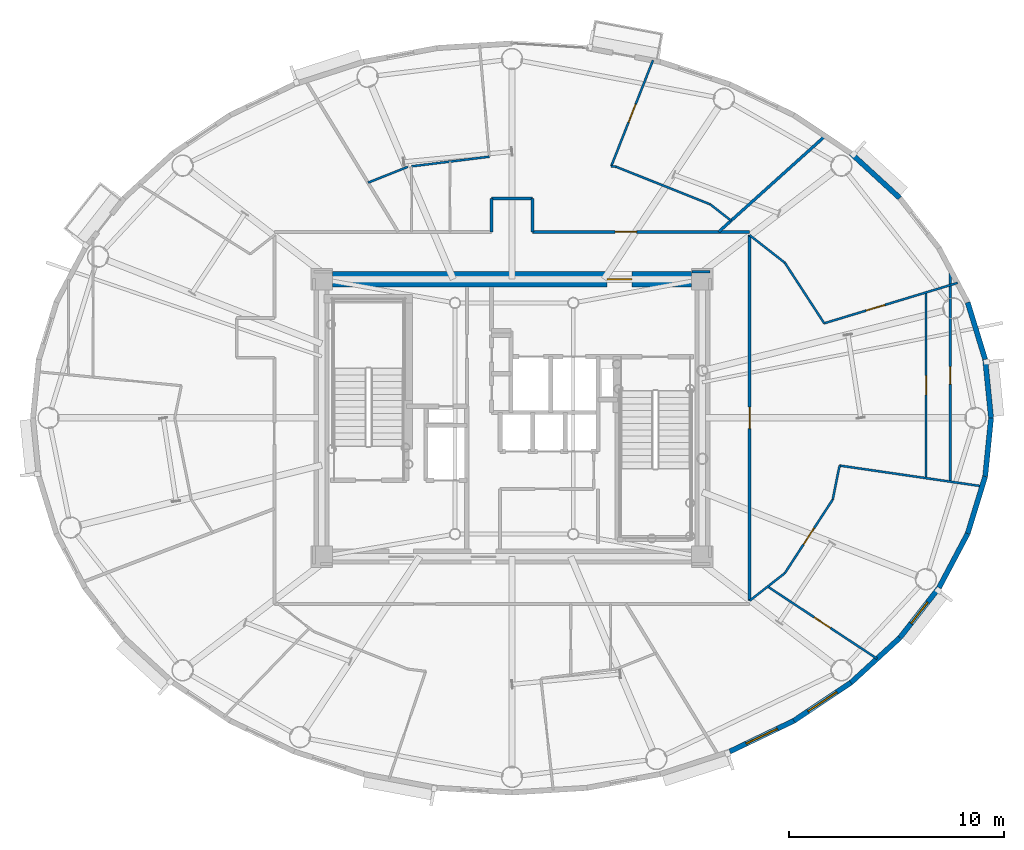
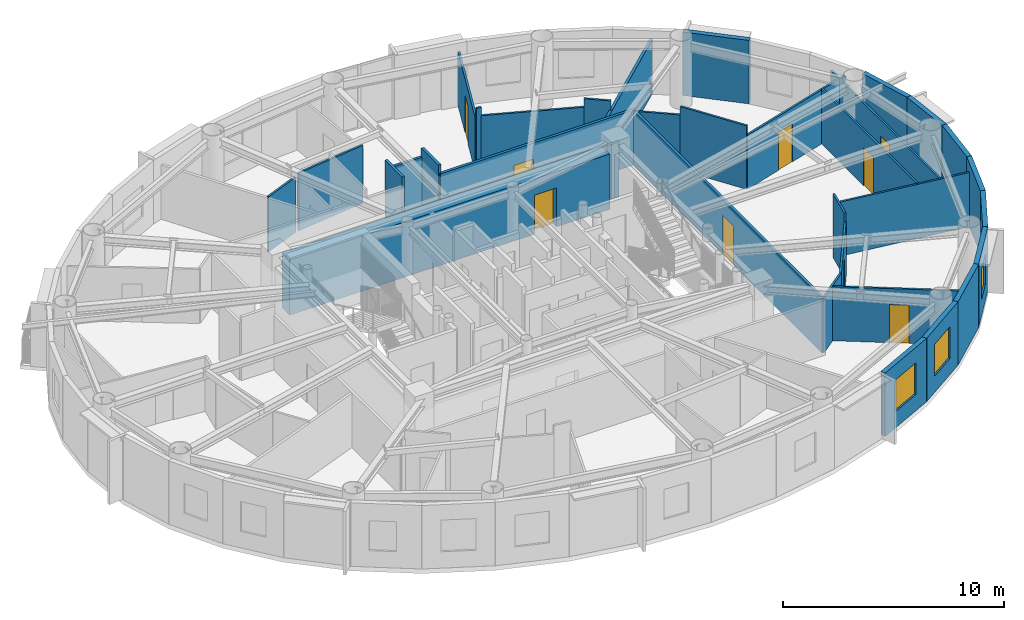
# One storey, part 10 of 18: 34 walls, 9 doors, 3 windows, 12 openings.
"""IFC4 building model written with IfcOpenShell, lengths in metres."""

from ifc_helpers import new_model, si_unit, direction, frame, frame_2d, origin, origin_2d, place, context, subcontext, project, spatial, rectangle, extrude, source, transform, mapped, material, layer, layer_set, type_object, element, fill, save


model = new_model("IFC4")

# Units and contexts
model_context = context("Model", 3, precision=1e-05, world=origin(), true_north=direction((0.0, 1.0)))
body_context = subcontext(model_context, "Body", "Model", "MODEL_VIEW")
ifc_project = project(units=[si_unit("LENGTHUNIT", "METRE"), si_unit("AREAUNIT", "SQUARE_METRE"), si_unit("VOLUMEUNIT", "CUBIC_METRE"), si_unit("PLANEANGLEUNIT", "RADIAN"), si_unit("MASSUNIT", "GRAM", prefix="KILO")], contexts=[model_context])

# Site, building, storey
site_placement = place(None, origin())
site = spatial("IfcSite", under=ifc_project, at=site_placement, CompositionType="ELEMENT")
building_placement = place(site_placement, origin())
building = spatial("IfcBuilding", under=site, at=building_placement, Name="Linh Dai School and Residence Tower", CompositionType="ELEMENT")
storey_placement = place(building_placement, frame((0.0, 0.0, 291.75)))
storey = spatial("IfcBuildingStorey", under=building, at=storey_placement, Name="L72", CompositionType="ELEMENT", Elevation=291.75)

# Walls
ifc_material_1 = material(Name="Precast Concrete B45 (C35/45)", Category="concrete")
ifc_layer_1 = layer(ifc_material_1, 0.239990234375)
ifc_layer_set_1 = layer_set([ifc_layer_1], Name="Precast Concrete B45 (C35/45)")
wall_type_1 = type_object("IfcWallType", Name="EW-TC-240", PredefinedType="SOLIDWALL", material=ifc_layer_set_1)
wall_1_placement = place(storey_placement, frame((58.001708984375, 29.718994140625, 0.0), z_axis=(0.0, 0.0, 1.0), x_axis=(0.099972526841, -0.99499019788, 0.0)))
element("IfcWall", 1, at=wall_1_placement, inside=storey, type_object=wall_type_1, Name="L72 Terracotta Exterior Wall 01", PredefinedType="SOLIDWALL", context=body_context, shape_type="SweptSolid", body=[
    extrude(rectangle(XDim=2.732666015625, YDim=0.239990234375, at=frame_2d((1.3662109375, 0.0))), origin(), (0.0, 0.0, 1.0), 3.5),
])
wall_2_placement = place(storey_placement, frame((57.188232421875, 32.372314453125, 0.0), z_axis=(0.0, 0.0, 1.0), x_axis=(0.2931213403, -0.956075248012, 0.0)))
element("IfcWall", 2, at=wall_2_placement, inside=storey, type_object=wall_type_1, Name="L72 Terracotta Exterior Wall 02", PredefinedType="SOLIDWALL", context=body_context, shape_type="SweptSolid", body=[
    extrude(rectangle(XDim=2.775146484375, YDim=0.239990234375, at=frame_2d((1.3876953125, 0.0))), origin(), (0.0, 0.0, 1.0), 3.5),
])
wall_3_placement = place(storey_placement, frame((51.76220703125, 39.30419921875, 0.0), z_axis=(0.0, 0.0, 1.0), x_axis=(0.737068506972, -0.675818034703, 0.0)))
element("IfcWall", 3, at=wall_3_placement, inside=storey, type_object=wall_type_1, Name="L72 Terracotta Exterior Wall 05", PredefinedType="SOLIDWALL", context=body_context, shape_type="SweptSolid", body=[
    extrude(rectangle(XDim=3.0771484375, YDim=0.239990234375, at=frame_2d((1.53857421875, 0.0))), origin(), (0.0, 0.0, 1.0), 3.5),
])

# Wall, opening, window
wall_4_placement = place(storey_placement, frame((49.1044921875, 12.91845703125, 0.0), z_axis=(0.0, 0.0, 1.0), x_axis=(-0.901573741254, -0.43262546051, 0.0)))
wall_4 = element("IfcWall", 4, at=wall_4_placement, inside=storey, type_object=wall_type_1, Name="L72 Terracotta Exterior Wall 34", PredefinedType="SOLIDWALL", context=body_context, shape_type="SweptSolid", body=[
    extrude(rectangle(XDim=3.306884765625, YDim=0.239990234375, at=frame_2d((1.6533203125, 0.0))), origin(), (0.0, 0.0, 1.0), 3.5),
])
opening_1_placement = place(wall_4_placement, frame((0.853515625, 0.0, 0.89990234375)))
opening_1 = element("IfcOpeningElement", 5, at=opening_1_placement, cuts=wall_4, Name="Opening W2", PredefinedType="OPENING", context=body_context, shape_type="SweptSolid", body=[
    extrude(rectangle(XDim=1.60009765625, YDim=1.75, at=origin_2d()), frame((0.800048828125, 0.1298828125, 0.875), z_axis=(0.0, -1.0, 0.0), x_axis=(1.0, 0.0, 0.0)), (0.0, 0.0, 1.0), 0.260009765625),
])
ifc_material_2 = material(Name="Double Low-E Insulated Glazing", Category="glass")
window_type_1 = type_object("IfcWindowType", Name="WN-RES-1600x1750", PartitioningType="DOUBLE_PANEL_VERTICAL", PredefinedType="WINDOW", material=ifc_material_2)
shared_shape_1 = source(origin(), body_context, "Body", "SweptSolid", [
    extrude(rectangle(XDim=1.60009765625, YDim=1.75, at=origin_2d()), frame((0.800048828125, 0.030029296875, 0.875), z_axis=(0.0, -1.0, 0.0), x_axis=(1.0, 0.0, 0.0)), (0.0, 0.0, 1.0), 0.06005859375),
])
window_1_placement = place(opening_1_placement, origin())
window_1 = element("IfcWindow", 6, at=window_1_placement, inside=storey, type_object=window_type_1, Name="L72 Exterior Window 34.1", OverallHeight=1.75, OverallWidth=1.60009765625, PartitioningType="DOUBLE_PANEL_VERTICAL", PredefinedType="WINDOW", context=body_context, shape_type="MappedRepresentation", body=[
    mapped(shared_shape_1, transform((0.0, 0.0, 0.0), x_axis=(1.0, 0.0, 0.0), y_axis=(0.0, 1.0, 0.0), z_axis=(0.0, 0.0, 1.0), scale=1.0)),
])
fill(opening_1, window_1)

wall_5_placement = place(storey_placement, frame((51.76220703125, 14.69580078125, 0.0), z_axis=(0.0, 0.0, 1.0), x_axis=(-0.831250592635, -0.55589787933, 0.0)))
wall_5 = element("IfcWall", 7, at=wall_5_placement, inside=storey, type_object=wall_type_1, Name="L72 Terracotta Exterior Wall 35", PredefinedType="SOLIDWALL", context=body_context, shape_type="SweptSolid", body=[
    extrude(rectangle(XDim=3.197265625, YDim=0.239990234375, at=frame_2d((1.5986328125, 0.0))), origin(), (0.0, 0.0, 1.0), 3.5),
])
opening_2_placement = place(wall_5_placement, frame((0.798583984375, 0.0, 0.89990234375)))
opening_2 = element("IfcOpeningElement", 8, at=opening_2_placement, cuts=wall_5, Name="Opening W2", PredefinedType="OPENING", context=body_context, shape_type="SweptSolid", body=[
    extrude(rectangle(XDim=1.60009765625, YDim=1.75, at=origin_2d()), frame((0.800048828125, 0.1298828125, 0.875), z_axis=(0.0, -1.0, 0.0), x_axis=(1.0, 0.0, 0.0)), (0.0, 0.0, 1.0), 0.260009765625),
])
window_2_placement = place(opening_2_placement, origin())
window_2 = element("IfcWindow", 9, at=window_2_placement, inside=storey, type_object=window_type_1, Name="L72 Exterior Window 35.1", OverallHeight=1.75, OverallWidth=1.60009765625, PartitioningType="DOUBLE_PANEL_VERTICAL", PredefinedType="WINDOW", context=body_context, shape_type="MappedRepresentation", body=[
    mapped(shared_shape_1, transform((0.0, 0.0, 0.0), x_axis=(1.0, 0.0, 0.0), y_axis=(0.0, 1.0, 0.0), z_axis=(0.0, 0.0, 1.0), scale=1.0)),
])
fill(opening_2, window_2)

# Wall
wall_6_placement = place(storey_placement, frame((54.0302734375, 16.775390625, 0.0), z_axis=(0.0, 0.0, 1.0), x_axis=(-0.737068506972, -0.675818034703, 0.0)))
element("IfcWall", 10, at=wall_6_placement, inside=storey, type_object=wall_type_1, Name="L72 Terracotta Exterior Wall 36", PredefinedType="SOLIDWALL", context=body_context, shape_type="SweptSolid", body=[
    extrude(rectangle(XDim=3.0771484375, YDim=0.239990234375, at=frame_2d((1.53857421875, 0.0))), origin(), (0.0, 0.0, 1.0), 3.5),
])

# Wall, opening, window
wall_7_placement = place(storey_placement, frame((55.853759765625, 19.105224609375, 0.0), z_axis=(0.0, 0.0, 1.0), x_axis=(-0.616337186556, -0.787482363275, 0.0)))
wall_7 = element("IfcWall", 11, at=wall_7_placement, inside=storey, type_object=wall_type_1, Name="L72 Terracotta Exterior Wall 37", PredefinedType="SOLIDWALL", context=body_context, shape_type="SweptSolid", body=[
    extrude(rectangle(XDim=2.95849609375, YDim=0.239990234375, at=frame_2d((1.479248046875, 0.0))), origin(), (0.0, 0.0, 1.0), 3.5),
])
opening_3_placement = place(wall_7_placement, frame((0.8544921875, 0.0, 0.89990234375)))
opening_3 = element("IfcOpeningElement", 12, at=opening_3_placement, cuts=wall_7, Name="Opening W3", PredefinedType="OPENING", context=body_context, shape_type="SweptSolid", body=[
    extrude(rectangle(XDim=1.25, YDim=1.64990234375, at=origin_2d()), frame((0.625, 0.1298828125, 0.824951171875), z_axis=(0.0, -1.0, 0.0), x_axis=(1.0, 0.0, 0.0)), (0.0, 0.0, 1.0), 0.260009765625),
])
window_type_2 = type_object("IfcWindowType", Name="WN-RES-1250x1650", PartitioningType="SINGLE_PANEL", PredefinedType="WINDOW", material=ifc_material_2)
shared_shape_2 = source(origin(), body_context, "Body", "SweptSolid", [
    extrude(rectangle(XDim=1.25, YDim=1.64990234375, at=origin_2d()), frame((0.625, 0.030029296875, 0.824951171875), z_axis=(0.0, -1.0, 0.0), x_axis=(1.0, 0.0, 0.0)), (0.0, 0.0, 1.0), 0.06005859375),
])
window_3_placement = place(opening_3_placement, origin())
window_3 = element("IfcWindow", 13, at=window_3_placement, inside=storey, type_object=window_type_2, Name="L72 Exterior Window 37.1", OverallHeight=1.64990234375, OverallWidth=1.25, PartitioningType="SINGLE_PANEL", PredefinedType="WINDOW", context=body_context, shape_type="MappedRepresentation", body=[
    mapped(shared_shape_2, transform((0.0, 0.0, 0.0), x_axis=(1.0, 0.0, 0.0), y_axis=(0.0, 1.0, 0.0), z_axis=(0.0, 0.0, 1.0), scale=1.0)),
])
fill(opening_3, window_3)

# Walls
wall_8_placement = place(storey_placement, frame((57.188232421875, 21.627685546875, 0.0), z_axis=(0.0, 0.0, 1.0), x_axis=(-0.467628269026, -0.883925224218, 0.0)))
element("IfcWall", 14, at=wall_8_placement, inside=storey, type_object=wall_type_1, Name="L72 Terracotta Exterior Wall 38", PredefinedType="SOLIDWALL", context=body_context, shape_type="SweptSolid", body=[
    extrude(rectangle(XDim=2.853759765625, YDim=0.239990234375, at=frame_2d((1.4267578125, 0.0))), origin(), (0.0, 0.0, 1.0), 3.5),
])
wall_9_placement = place(storey_placement, frame((58.001708984375, 24.281005859375, 0.0), z_axis=(0.0, 0.0, 1.0), x_axis=(-0.2931213403, -0.956075248012, 0.0)))
element("IfcWall", 15, at=wall_9_placement, inside=storey, type_object=wall_type_1, Name="L72 Terracotta Exterior Wall 39", PredefinedType="SOLIDWALL", context=body_context, shape_type="SweptSolid", body=[
    extrude(rectangle(XDim=2.775146484375, YDim=0.239990234375, at=frame_2d((1.3876953125, 0.0))), origin(), (0.0, 0.0, 1.0), 3.5),
])
wall_10_placement = place(storey_placement, frame((58.27490234375, 27.0, 0.0), z_axis=(0.0, 0.0, 1.0), x_axis=(-0.099972526841, -0.99499019788, 0.0)))
element("IfcWall", 16, at=wall_10_placement, inside=storey, type_object=wall_type_1, Name="L72 Terracotta Exterior Wall 40", PredefinedType="SOLIDWALL", context=body_context, shape_type="SweptSolid", body=[
    extrude(rectangle(XDim=2.732666015625, YDim=0.239990234375, at=frame_2d((1.3662109375, 0.0))), origin(), (0.0, 0.0, 1.0), 3.5),
])
ifc_material_3 = material(Name="Autoclaved Aerated Concrete Blockwork", Category="masonry")
ifc_layer_2 = layer(ifc_material_3, 0.135009765625)
ifc_layer_set_2 = layer_set([ifc_layer_2], Name="Autoclaved Aerated Concrete Blockwork")
wall_type_2 = type_object("IfcWallType", Name="IW-CORR-135-EI90", PredefinedType="PARTITIONING", material=ifc_layer_set_2)
wall_11_placement = place(storey_placement, frame((35.050048828125, 35.64990234375, 0.0), z_axis=(0.0, 0.0, 1.0), x_axis=(0.0, 1.0, 0.0)))
element("IfcWall", 17, at=wall_11_placement, inside=storey, type_object=wall_type_2, Name="L72 Interior Partition Wall 042", PredefinedType="PARTITIONING", context=body_context, shape_type="SweptSolid", body=[
    extrude(rectangle(XDim=1.550048828125, YDim=0.135009765625, at=frame_2d((0.77490234375, 0.0))), origin(), (0.0, 0.0, 1.0), 3.5),
])
wall_12_placement = place(storey_placement, frame((35.050048828125, 37.199951171875, 0.0), z_axis=(0.0, 0.0, 1.0), x_axis=(1.0, 0.0, 0.0)))
element("IfcWall", 18, at=wall_12_placement, inside=storey, type_object=wall_type_2, Name="L72 Interior Partition Wall 043", PredefinedType="PARTITIONING", context=body_context, shape_type="SweptSolid", body=[
    extrude(rectangle(XDim=1.89990234375, YDim=0.135009765625, at=frame_2d((0.949951171875, 0.0))), origin(), (0.0, 0.0, 1.0), 3.034912109375),
])
wall_13_placement = place(storey_placement, frame((36.949951171875, 35.64990234375, 0.0), z_axis=(0.0, 0.0, 1.0), x_axis=(0.0, 1.0, 0.0)))
element("IfcWall", 19, at=wall_13_placement, inside=storey, type_object=wall_type_2, Name="L72 Interior Partition Wall 050", PredefinedType="PARTITIONING", context=body_context, shape_type="SweptSolid", body=[
    extrude(rectangle(XDim=1.550048828125, YDim=0.135009765625, at=frame_2d((0.77490234375, 0.0))), origin(), (0.0, 0.0, 1.0), 3.5),
])

# Wall, opening, door
wall_14_placement = place(storey_placement, frame((36.949951171875, 35.64990234375, 0.0), z_axis=(0.0, 0.0, 1.0), x_axis=(1.0, 0.0, 0.0)))
wall_14 = element("IfcWall", 20, at=wall_14_placement, inside=storey, type_object=wall_type_2, Name="L72 Interior Partition Wall 051", PredefinedType="PARTITIONING", context=body_context, shape_type="SweptSolid", body=[
    extrude(rectangle(XDim=10.10009765625, YDim=0.135009765625, at=frame_2d((5.050048828125, 0.0))), origin(), (0.0, 0.0, 1.0), 3.034912109375),
])
opening_4_placement = place(wall_14_placement, frame((3.848388671875, 0.0, 0.0)))
opening_4 = element("IfcOpeningElement", 21, at=opening_4_placement, cuts=wall_14, Name="Opening D03", PredefinedType="OPENING", context=body_context, shape_type="SweptSolid", body=[
    extrude(rectangle(XDim=1.0, YDim=2.14990234375, at=origin_2d()), frame((0.5, 0.07763671875, 1.074951171875), z_axis=(0.0, -1.0, 0.0), x_axis=(1.0, 0.0, 0.0)), (0.0, 0.0, 1.0), 0.155029296875),
])
ifc_material_4 = material(Name="Fire-Rated Solid Timber Entrance Door", Category="wood")
door_type_1 = type_object("IfcDoorType", Name="DR-FLAT-1000x2150-FD60S", OperationType="NOTDEFINED", PredefinedType="DOOR", material=ifc_material_4)
shared_shape_3 = source(origin(), body_context, "Body", "SweptSolid", [
    extrude(rectangle(XDim=1.0, YDim=2.14990234375, at=origin_2d()), frame((0.5, 0.02490234375, 1.074951171875), z_axis=(0.0, -1.0, 0.0), x_axis=(1.0, 0.0, 0.0)), (0.0, 0.0, 1.0), 0.050048828125),
])
door_1_placement = place(opening_4_placement, origin())
door_1 = element("IfcDoor", 22, at=door_1_placement, inside=storey, type_object=door_type_1, Name="L72 U7201 Apartment Entrance Door", OperationType="SINGLE_SWING_RIGHT", OverallHeight=2.14990234375, OverallWidth=1.0, PredefinedType="DOOR", context=body_context, shape_type="MappedRepresentation", body=[
    mapped(shared_shape_3, transform((0.0, 0.0, 0.0), x_axis=(1.0, 0.0, 0.0), y_axis=(0.0, 1.0, 0.0), z_axis=(0.0, 0.0, 1.0), scale=1.0)),
])
fill(opening_4, door_1)

# Wall
wall_15_placement = place(storey_placement, frame((45.606689453125, 35.64990234375, 0.0), z_axis=(0.0, 0.0, 1.0), x_axis=(0.743148504456, 0.669126520416, 0.0)))
element("IfcWall", 23, at=wall_15_placement, inside=storey, type_object=wall_type_2, Name="L72 Interior Partition Wall 070", PredefinedType="PARTITIONING", context=body_context, shape_type="SweptSolid", body=[
    extrude(rectangle(XDim=6.6689453125, YDim=0.135009765625, at=frame_2d((3.33447265625, 0.0))), origin(), (0.0, 0.0, 1.0), 2.985107421875),
])

# Wall, opening, door
wall_16_placement = place(storey_placement, frame((47.050048828125, 18.502685546875, 0.0), z_axis=(0.0, 0.0, 1.0), x_axis=(0.0, 1.0, 0.0)))
wall_16 = element("IfcWall", 24, at=wall_16_placement, inside=storey, type_object=wall_type_2, Name="L72 Interior Partition Wall 071", PredefinedType="PARTITIONING", context=body_context, shape_type="SweptSolid", body=[
    extrude(rectangle(XDim=16.99462890625, YDim=0.135009765625, at=frame_2d((8.497314453125, 0.0))), origin(), (0.0, 0.0, 1.0), 3.034912109375),
])
opening_5_placement = place(wall_16_placement, frame((7.997314453125, 0.0, 0.0)))
opening_5 = element("IfcOpeningElement", 25, at=opening_5_placement, cuts=wall_16, Name="Opening D03", PredefinedType="OPENING", context=body_context, shape_type="SweptSolid", body=[
    extrude(rectangle(XDim=1.0, YDim=2.14990234375, at=origin_2d()), frame((0.5, 0.07763671875, 1.074951171875), z_axis=(0.0, -1.0, 0.0), x_axis=(1.0, 0.0, 0.0)), (0.0, 0.0, 1.0), 0.155029296875),
])
door_2_placement = place(opening_5_placement, origin())
door_2 = element("IfcDoor", 26, at=door_2_placement, inside=storey, type_object=door_type_1, Name="L72 U7204 Apartment Entrance Door", OperationType="SINGLE_SWING_RIGHT", OverallHeight=2.14990234375, OverallWidth=1.0, PredefinedType="DOOR", context=body_context, shape_type="MappedRepresentation", body=[
    mapped(shared_shape_3, transform((0.0, 0.0, 0.0), x_axis=(1.0, 0.0, 0.0), y_axis=(0.0, 1.0, 0.0), z_axis=(0.0, 0.0, 1.0), scale=1.0)),
])
fill(opening_5, door_2)

# Walls
wall_17_placement = place(storey_placement, frame((45.199951171875, 33.800048828125, 0.0), z_axis=(0.0, 0.0, 1.0), x_axis=(-1.0, 0.0, 0.0)))
element("IfcWall", 27, at=wall_17_placement, inside=storey, type_object=wall_type_2, Name="L72 Interior Partition Wall 084", PredefinedType="PARTITIONING", context=body_context, shape_type="SweptSolid", body=[
    extrude(rectangle(XDim=0.83984375, YDim=0.135009765625, at=frame_2d((0.419921875, 0.0))), origin(), (0.0, 0.0, 1.0), 3.034912109375),
])
ifc_material_5 = material(Name="Gypsum Plasterboard Acoustic Stud Partition", Category="masonry")
ifc_layer_3 = layer(ifc_material_5, 0.10009765625)
ifc_layer_set_3 = layer_set([ifc_layer_3], Name="Gypsum Plasterboard Acoustic Stud Partition")
wall_type_3 = type_object("IfcWallType", Name="IW-UNIT-100", PredefinedType="PARTITIONING", material=ifc_layer_set_3)
wall_18_placement = place(storey_placement, frame((29.306640625, 37.939697265625, 0.0), z_axis=(0.0, 0.0, 1.0), x_axis=(0.928797929692, 0.370586569913, 0.0)))
element("IfcWall", 28, at=wall_18_placement, inside=storey, type_object=wall_type_3, Name="L72 Interior Partition Wall 022", PredefinedType="PARTITIONING", context=body_context, shape_type="SweptSolid", body=[
    extrude(rectangle(XDim=1.989501953125, YDim=0.10009765625, at=frame_2d((0.99462890625, 0.0))), origin(), (0.0, 0.0, 1.0), 3.034912109375),
])
wall_19_placement = place(storey_placement, frame((31.33251953125, 38.69921875, 0.0), z_axis=(0.0, 0.0, 1.0), x_axis=(0.992398193069, 0.123068380965, 0.0)))
element("IfcWall", 29, at=wall_19_placement, inside=storey, type_object=wall_type_3, Name="L72 Interior Partition Wall 028", PredefinedType="PARTITIONING", context=body_context, shape_type="SweptSolid", body=[
    extrude(rectangle(XDim=3.63818359375, YDim=0.10009765625, at=frame_2d((1.819091796875, 0.0))), origin(), (0.0, 0.0, 1.0), 3.18505859375),
])
wall_20_placement = place(storey_placement, frame((40.6142578125, 38.705810546875, 0.0), z_axis=(0.0, 0.0, 1.0), x_axis=(0.992326164187, -0.123647821937, 0.0)))
element("IfcWall", 30, at=wall_20_placement, inside=storey, type_object=wall_type_3, Name="L72 Interior Partition Wall 062", PredefinedType="PARTITIONING", context=body_context, shape_type="SweptSolid", body=[
    extrude(rectangle(XDim=0.23291015625, YDim=0.10009765625, at=frame_2d((0.116455078125, 0.0))), origin(), (0.0, 0.0, 1.0), 3.5),
])

# Wall, opening, door
wall_21_placement = place(storey_placement, frame((40.6142578125, 38.705810546875, 0.0), z_axis=(0.0, 0.0, 1.0), x_axis=(0.36670847824, 0.930335902772, 0.0)))
wall_21 = element("IfcWall", 31, at=wall_21_placement, inside=storey, type_object=wall_type_3, Name="L72 Interior Partition Wall 063", PredefinedType="PARTITIONING", context=body_context, shape_type="SweptSolid", body=[
    extrude(rectangle(XDim=5.29150390625, YDim=0.10009765625, at=frame_2d((2.645751953125, 0.0))), origin(), (0.0, 0.0, 1.0), 2.985107421875),
])
opening_6_placement = place(wall_21_placement, frame((2.19580078125, 0.0, 0.0)))
opening_6 = element("IfcOpeningElement", 32, at=opening_6_placement, cuts=wall_21, Name="Opening D05", PredefinedType="OPENING", context=body_context, shape_type="SweptSolid", body=[
    extrude(rectangle(XDim=0.89990234375, YDim=2.10009765625, at=origin_2d()), frame((0.449951171875, 0.06005859375, 1.050048828125), z_axis=(0.0, -1.0, 0.0), x_axis=(1.0, 0.0, 0.0)), (0.0, 0.0, 1.0), 0.1201171875),
])
ifc_material_6 = material(Name="Engineered Timber Internal Door", Category="wood")
door_type_2 = type_object("IfcDoorType", Name="DR-INT-900x2100", OperationType="NOTDEFINED", PredefinedType="DOOR", material=ifc_material_6)
shared_shape_4 = source(origin(), body_context, "Body", "SweptSolid", [
    extrude(rectangle(XDim=0.89990234375, YDim=2.10009765625, at=origin_2d()), frame((0.449951171875, 0.02490234375, 1.050048828125), z_axis=(0.0, -1.0, 0.0), x_axis=(1.0, 0.0, 0.0)), (0.0, 0.0, 1.0), 0.050048828125),
])
door_3_placement = place(opening_6_placement, origin())
door_3 = element("IfcDoor", 33, at=door_3_placement, inside=storey, type_object=door_type_2, Name="L72 Apartment U7201 Principal Bedroom 1 Door", OperationType="SINGLE_SWING_LEFT", OverallHeight=2.10009765625, OverallWidth=0.89990234375, PredefinedType="DOOR", context=body_context, shape_type="MappedRepresentation", body=[
    mapped(shared_shape_4, transform((0.0, 0.0, 0.0), x_axis=(1.0, 0.0, 0.0), y_axis=(0.0, 1.0, 0.0), z_axis=(0.0, 0.0, 1.0), scale=1.0)),
])
fill(opening_6, door_3)

# Walls
wall_22_placement = place(storey_placement, frame((40.845458984375, 38.677001953125, 0.0), z_axis=(0.0, 0.0, 1.0), x_axis=(0.928809047774, -0.370558703544, 0.0)))
element("IfcWall", 34, at=wall_22_placement, inside=storey, type_object=wall_type_3, Name="L72 Interior Partition Wall 065", PredefinedType="PARTITIONING", context=body_context, shape_type="SweptSolid", body=[
    extrude(rectangle(XDim=4.7060546875, YDim=0.10009765625, at=frame_2d((2.35302734375, 0.0))), origin(), (0.0, 0.0, 1.0), 3.034912109375),
])
wall_23_placement = place(storey_placement, frame((45.216552734375, 36.93310546875, 0.0), z_axis=(0.0, 0.0, 1.0), x_axis=(0.787354580016, -0.616500417946, 0.0)))
element("IfcWall", 35, at=wall_23_placement, inside=storey, type_object=wall_type_3, Name="L72 Interior Partition Wall 069", PredefinedType="PARTITIONING", context=body_context, shape_type="SweptSolid", body=[
    extrude(rectangle(XDim=1.233154296875, YDim=0.10009765625, at=frame_2d((0.61669921875, 0.0))), origin(), (0.0, 0.0, 1.0), 3.5),
])
for number, where, z_axis, x_axis, name in (
    (36, (47.050048828125, 18.502685546875, 0.0), (0.0, 0.0, 1.0), (0.787328855274, 0.616533270516, 0.0), "L72 Interior Partition Wall 072"),
    (37, (47.050048828125, 35.497314453125, 0.0), (0.0, 0.0, 1.0), (0.787328855274, -0.616533270516, 0.0), "L72 Interior Partition Wall 073"),
):
    element("IfcWall", number, at=place(storey_placement, frame(where, z_axis=z_axis, x_axis=x_axis)), inside=storey, type_object=wall_type_3, Name=name, PredefinedType="PARTITIONING", context=body_context, shape_type="SweptSolid", body=[
        extrude(rectangle(XDim=2.076904296875, YDim=0.10009765625, at=frame_2d((1.03857421875, 0.0))), origin(), (0.0, 0.0, 1.0), 3.034912109375),
    ])

# Wall, opening, door
wall_24_placement = place(storey_placement, frame((47.888671875, 19.1591796875, 0.0), z_axis=(0.0, 0.0, 1.0), x_axis=(0.834800486956, -0.550552583299, 0.0)))
wall_24 = element("IfcWall", 38, at=wall_24_placement, inside=storey, type_object=wall_type_3, Name="L72 Interior Partition Wall 074", PredefinedType="PARTITIONING", context=body_context, shape_type="SweptSolid", body=[
    extrude(rectangle(XDim=6.095703125, YDim=0.10009765625, at=frame_2d((3.0478515625, 0.0))), origin(), (0.0, 0.0, 1.0), 2.985107421875),
])
opening_7_placement = place(wall_24_placement, frame((2.597900390625, 0.0, 0.0)))
opening_7 = element("IfcOpeningElement", 39, at=opening_7_placement, cuts=wall_24, Name="Opening D05", PredefinedType="OPENING", context=body_context, shape_type="SweptSolid", body=[
    extrude(rectangle(XDim=0.89990234375, YDim=2.10009765625, at=origin_2d()), frame((0.449951171875, 0.06005859375, 1.050048828125), z_axis=(0.0, -1.0, 0.0), x_axis=(1.0, 0.0, 0.0)), (0.0, 0.0, 1.0), 0.1201171875),
])
door_4_placement = place(opening_7_placement, origin())
door_4 = element("IfcDoor", 40, at=door_4_placement, inside=storey, type_object=door_type_2, Name="L72 Apartment U7204 Principal Bedroom 1 Door", OperationType="SINGLE_SWING_RIGHT", OverallHeight=2.10009765625, OverallWidth=0.89990234375, PredefinedType="DOOR", context=body_context, shape_type="MappedRepresentation", body=[
    mapped(shared_shape_4, transform((0.0, 0.0, 0.0), x_axis=(1.0, 0.0, 0.0), y_axis=(0.0, 1.0, 0.0), z_axis=(0.0, 0.0, 1.0), scale=1.0)),
])
fill(opening_7, door_4)

wall_25_placement = place(storey_placement, frame((48.685302734375, 19.783203125, 0.0), z_axis=(0.0, 0.0, 1.0), x_axis=(0.545435886628, 0.838152547916, 0.0)))
wall_25 = element("IfcWall", 41, at=wall_25_placement, inside=storey, type_object=wall_type_3, Name="L72 Interior Partition Wall 075", PredefinedType="PARTITIONING", context=body_context, shape_type="SweptSolid", body=[
    extrude(rectangle(XDim=4.08349609375, YDim=0.10009765625, at=frame_2d((2.041748046875, 0.0))), origin(), (0.0, 0.0, 1.0), 3.034912109375),
])
opening_8_placement = place(wall_25_placement, frame((1.591796875, 0.0, 0.0)))
opening_8 = element("IfcOpeningElement", 42, at=opening_8_placement, cuts=wall_25, Name="Opening D05", PredefinedType="OPENING", context=body_context, shape_type="SweptSolid", body=[
    extrude(rectangle(XDim=0.89990234375, YDim=2.10009765625, at=origin_2d()), frame((0.449951171875, 0.06005859375, 1.050048828125), z_axis=(0.0, -1.0, 0.0), x_axis=(1.0, 0.0, 0.0)), (0.0, 0.0, 1.0), 0.1201171875),
])
door_5_placement = place(opening_8_placement, origin())
door_5 = element("IfcDoor", 43, at=door_5_placement, inside=storey, type_object=door_type_2, Name="L72 Apartment U7204 Principal Bedroom 2 Door", OperationType="SINGLE_SWING_LEFT", OverallHeight=2.10009765625, OverallWidth=0.89990234375, PredefinedType="DOOR", context=body_context, shape_type="MappedRepresentation", body=[
    mapped(shared_shape_4, transform((0.0, 0.0, 0.0), x_axis=(1.0, 0.0, 0.0), y_axis=(0.0, 1.0, 0.0), z_axis=(0.0, 0.0, 1.0), scale=1.0)),
])
fill(opening_8, door_5)

# Wall
wall_26_placement = place(storey_placement, frame((48.685302734375, 34.216796875, 0.0), z_axis=(0.0, 0.0, 1.0), x_axis=(0.545425092352, -0.838159572297, 0.0)))
element("IfcWall", 44, at=wall_26_placement, inside=storey, type_object=wall_type_3, Name="L72 Interior Partition Wall 076", PredefinedType="PARTITIONING", context=body_context, shape_type="SweptSolid", body=[
    extrude(rectangle(XDim=3.359375, YDim=0.10009765625, at=frame_2d((1.6796875, 0.0))), origin(), (0.0, 0.0, 1.0), 3.5),
])

# Wall, opening, door
wall_27_placement = place(storey_placement, frame((50.517578125, 31.401123046875, 0.0), z_axis=(0.0, 0.0, 1.0), x_axis=(0.956995224849, 0.290103670462, 0.0)))
wall_27 = element("IfcWall", 45, at=wall_27_placement, inside=storey, type_object=wall_type_3, Name="L72 Interior Partition Wall 077", PredefinedType="PARTITIONING", context=body_context, shape_type="SweptSolid", body=[
    extrude(rectangle(XDim=6.47509765625, YDim=0.10009765625, at=frame_2d((3.237548828125, 0.0))), origin(), (0.0, 0.0, 1.0), 2.985107421875),
])
opening_9_placement = place(wall_27_placement, frame((2.045166015625, 0.0, 0.0)))
opening_9 = element("IfcOpeningElement", 46, at=opening_9_placement, cuts=wall_27, Name="Opening D05", PredefinedType="OPENING", context=body_context, shape_type="SweptSolid", body=[
    extrude(rectangle(XDim=0.89990234375, YDim=2.10009765625, at=origin_2d()), frame((0.449951171875, 0.06005859375, 1.050048828125), z_axis=(0.0, -1.0, 0.0), x_axis=(1.0, 0.0, 0.0)), (0.0, 0.0, 1.0), 0.1201171875),
])
door_6_placement = place(opening_9_placement, origin())
door_6 = element("IfcDoor", 47, at=door_6_placement, inside=storey, type_object=door_type_2, Name="L72 Apartment U7204 Principal Bedroom 3 Door", OperationType="SINGLE_SWING_RIGHT", OverallHeight=2.10009765625, OverallWidth=0.89990234375, PredefinedType="DOOR", context=body_context, shape_type="MappedRepresentation", body=[
    mapped(shared_shape_4, transform((0.0, 0.0, 0.0), x_axis=(1.0, 0.0, 0.0), y_axis=(0.0, 1.0, 0.0), z_axis=(0.0, 0.0, 1.0), scale=1.0)),
])
fill(opening_9, door_6)

# Walls
wall_28_placement = place(storey_placement, frame((50.91259765625, 23.205810546875, 0.0), z_axis=(0.0, 0.0, 1.0), x_axis=(0.19824173141, 0.980153159423, 0.0)))
element("IfcWall", 48, at=wall_28_placement, inside=storey, type_object=wall_type_3, Name="L72 Interior Partition Wall 078", PredefinedType="PARTITIONING", context=body_context, shape_type="SweptSolid", body=[
    extrude(rectangle(XDim=1.612060546875, YDim=0.10009765625, at=frame_2d((0.80615234375, 0.0))), origin(), (0.0, 0.0, 1.0), 3.5),
])
wall_29_placement = place(storey_placement, frame((51.232177734375, 24.785888671875, 0.0), z_axis=(0.0, 0.0, 1.0), x_axis=(0.989599074058, -0.143852954864, 0.0)))
element("IfcWall", 49, at=wall_29_placement, inside=storey, type_object=wall_type_3, Name="L72 Interior Partition Wall 079", PredefinedType="PARTITIONING", context=body_context, shape_type="SweptSolid", body=[
    extrude(rectangle(XDim=6.703857421875, YDim=0.10009765625, at=frame_2d((3.35205078125, 0.0))), origin(), (0.0, 0.0, 1.0), 2.985107421875),
])

# Wall, opening, door
wall_30_placement = place(storey_placement, frame((55.255126953125, 24.201171875, 0.0), z_axis=(0.0, 0.0, 1.0), x_axis=(0.0, 1.0, 0.0)))
wall_30 = element("IfcWall", 50, at=wall_30_placement, inside=storey, type_object=wall_type_3, Name="L72 Interior Partition Wall 080", PredefinedType="PARTITIONING", context=body_context, shape_type="SweptSolid", body=[
    extrude(rectangle(XDim=8.635986328125, YDim=0.10009765625, at=frame_2d((4.31787109375, 0.0))), origin(), (0.0, 0.0, 1.0), 3.034912109375),
])
opening_10_placement = place(wall_30_placement, frame((3.867919921875, 0.0, 0.0)))
opening_10 = element("IfcOpeningElement", 51, at=opening_10_placement, cuts=wall_30, Name="Opening D05", PredefinedType="OPENING", context=body_context, shape_type="SweptSolid", body=[
    extrude(rectangle(XDim=0.89990234375, YDim=2.10009765625, at=origin_2d()), frame((0.449951171875, 0.06005859375, 1.050048828125), z_axis=(0.0, -1.0, 0.0), x_axis=(1.0, 0.0, 0.0)), (0.0, 0.0, 1.0), 0.1201171875),
])
door_7_placement = place(opening_10_placement, origin())
door_7 = element("IfcDoor", 52, at=door_7_placement, inside=storey, type_object=door_type_2, Name="L72 Apartment U7204 Kitchen Door", OperationType="SINGLE_SWING_LEFT", OverallHeight=2.10009765625, OverallWidth=0.89990234375, PredefinedType="DOOR", context=body_context, shape_type="MappedRepresentation", body=[
    mapped(shared_shape_4, transform((0.0, 0.0, 0.0), x_axis=(1.0, 0.0, 0.0), y_axis=(0.0, 1.0, 0.0), z_axis=(0.0, 0.0, 1.0), scale=1.0)),
])
fill(opening_10, door_7)

wall_31_placement = place(storey_placement, frame((56.3740234375, 24.03857421875, 0.0), z_axis=(0.0, 0.0, 1.0), x_axis=(0.0, 1.0, 0.0)))
wall_31 = element("IfcWall", 53, at=wall_31_placement, inside=storey, type_object=wall_type_3, Name="L72 Interior Partition Wall 081", PredefinedType="PARTITIONING", context=body_context, shape_type="SweptSolid", body=[
    extrude(rectangle(XDim=9.883544921875, YDim=0.10009765625, at=frame_2d((4.94189453125, 0.0))), origin(), (0.0, 0.0, 1.0), 2.985107421875),
])
opening_11_placement = place(wall_31_placement, frame((4.53173828125, 0.0, 0.0)))
opening_11 = element("IfcOpeningElement", 54, at=opening_11_placement, cuts=wall_31, Name="Opening D06", PredefinedType="OPENING", context=body_context, shape_type="SweptSolid", body=[
    extrude(rectangle(XDim=0.820068359375, YDim=2.10009765625, at=origin_2d()), frame((0.41015625, 0.06005859375, 1.050048828125), z_axis=(0.0, -1.0, 0.0), x_axis=(1.0, 0.0, 0.0)), (0.0, 0.0, 1.0), 0.1201171875),
])
ifc_material_7 = material(Name="Moisture-Resistant Timber Bathroom Door", Category="wood")
door_type_3 = type_object("IfcDoorType", Name="DR-WET-820x2100", OperationType="NOTDEFINED", PredefinedType="DOOR", material=ifc_material_7)
shared_shape_5 = source(origin(), body_context, "Body", "SweptSolid", [
    extrude(rectangle(XDim=0.820068359375, YDim=2.10009765625, at=origin_2d()), frame((0.41015625, 0.02490234375, 1.050048828125), z_axis=(0.0, -1.0, 0.0), x_axis=(1.0, 0.0, 0.0)), (0.0, 0.0, 1.0), 0.050048828125),
])
door_8_placement = place(opening_11_placement, origin())
door_8 = element("IfcDoor", 55, at=door_8_placement, inside=storey, type_object=door_type_3, Name="L72 Apartment U7204 Bathroom 1 Door", OperationType="SINGLE_SWING_LEFT", OverallHeight=2.10009765625, OverallWidth=0.820068359375, PredefinedType="DOOR", context=body_context, shape_type="MappedRepresentation", body=[
    mapped(shared_shape_5, transform((0.0, 0.0, 0.0), x_axis=(1.0, 0.0, 0.0), y_axis=(0.0, 1.0, 0.0), z_axis=(0.0, 0.0, 1.0), scale=1.0)),
])
fill(opening_11, door_8)

ifc_material_8 = material(Name="Concrete B45 (C35/45)", Category="concrete")
ifc_layer_4 = layer(ifc_material_8, 0.699951171875)
ifc_layer_set_4 = layer_set([ifc_layer_4], Name="Concrete B45 (C35/45)")
wall_type_4 = type_object("IfcWallType", Name="WL-CORE700", PredefinedType="SHEAR", material=ifc_layer_set_4)
wall_32_placement = place(storey_placement, frame((27.64990234375, 33.449951171875, 0.0), z_axis=(0.0, 0.0, 1.0), x_axis=(1.0, 0.0, 0.0)))
wall_32 = element("IfcWall", 56, at=wall_32_placement, inside=storey, type_object=wall_type_4, Name="L72 Central Core Shear Wall N", PredefinedType="SHEAR", context=body_context, shape_type="SweptSolid", body=[
    extrude(rectangle(XDim=16.7001953125, YDim=0.699951171875, at=frame_2d((8.35009765625, 0.0))), origin(), (0.0, 0.0, 1.0), 3.050048828125),
])
opening_12_placement = place(wall_32_placement, frame((12.77490234375, 0.0, 0.0)))
opening_12 = element("IfcOpeningElement", 57, at=opening_12_placement, cuts=wall_32, Name="Opening D02", PredefinedType="OPENING", context=body_context, shape_type="SweptSolid", body=[
    extrude(rectangle(XDim=1.14990234375, YDim=2.14990234375, at=origin_2d()), frame((0.574951171875, 0.35986328125, 1.074951171875), z_axis=(0.0, -1.0, 0.0), x_axis=(1.0, 0.0, 0.0)), (0.0, 0.0, 1.0), 0.719970703125),
])
ifc_material_9 = material(Name="Fire-Rated Glazed Steel Lobby Door", Category="steel")
door_type_4 = type_object("IfcDoorType", Name="DR-LOBBY-1150x2150-FD90S", OperationType="NOTDEFINED", PredefinedType="DOOR", material=ifc_material_9)
shared_shape_6 = source(origin(), body_context, "Body", "SweptSolid", [
    extrude(rectangle(XDim=1.14990234375, YDim=2.14990234375, at=origin_2d()), frame((0.574951171875, 0.02490234375, 1.074951171875), z_axis=(0.0, -1.0, 0.0), x_axis=(1.0, 0.0, 0.0)), (0.0, 0.0, 1.0), 0.050048828125),
])
door_9_placement = place(opening_12_placement, origin())
door_9 = element("IfcDoor", 58, at=door_9_placement, inside=storey, type_object=door_type_4, Name="L72 Firefighting Lobby Door", OperationType="SINGLE_SWING_RIGHT", OverallHeight=2.14990234375, OverallWidth=1.14990234375, PredefinedType="DOOR", context=body_context, shape_type="MappedRepresentation", body=[
    mapped(shared_shape_6, transform((0.0, 0.0, 0.0), x_axis=(1.0, 0.0, 0.0), y_axis=(0.0, 1.0, 0.0), z_axis=(0.0, 0.0, 1.0), scale=1.0)),
])
fill(opening_12, door_9)

save(model, "model.ifc")
